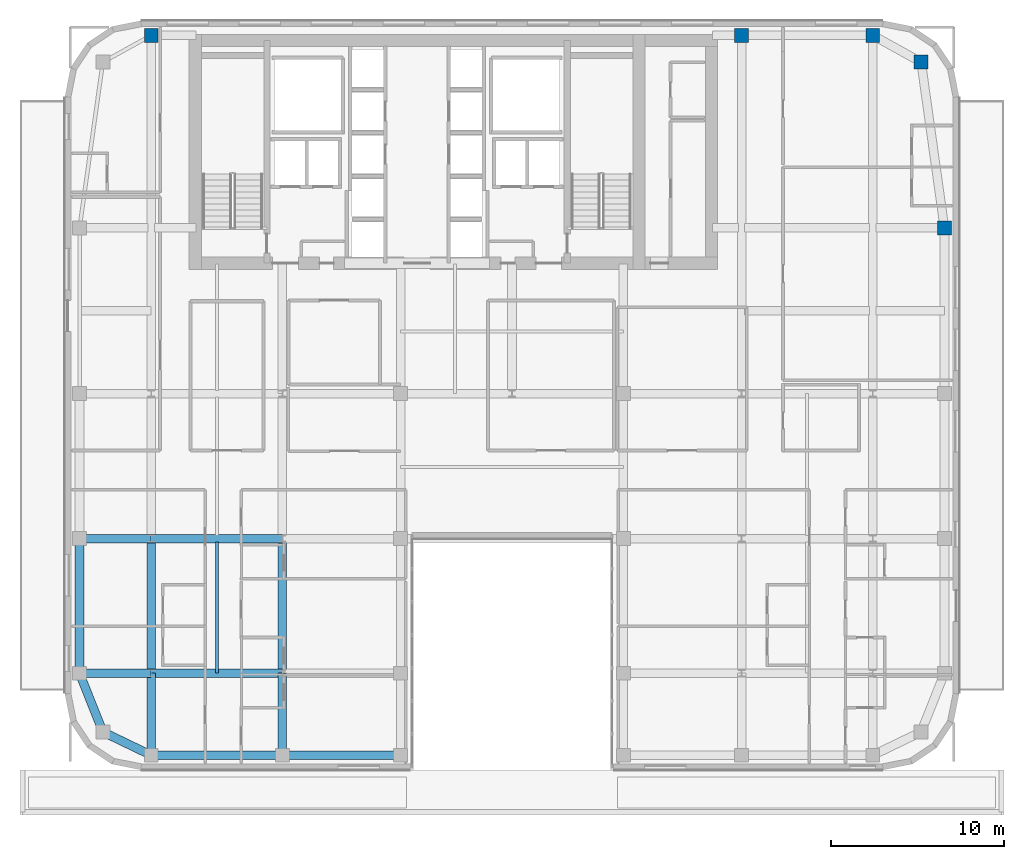
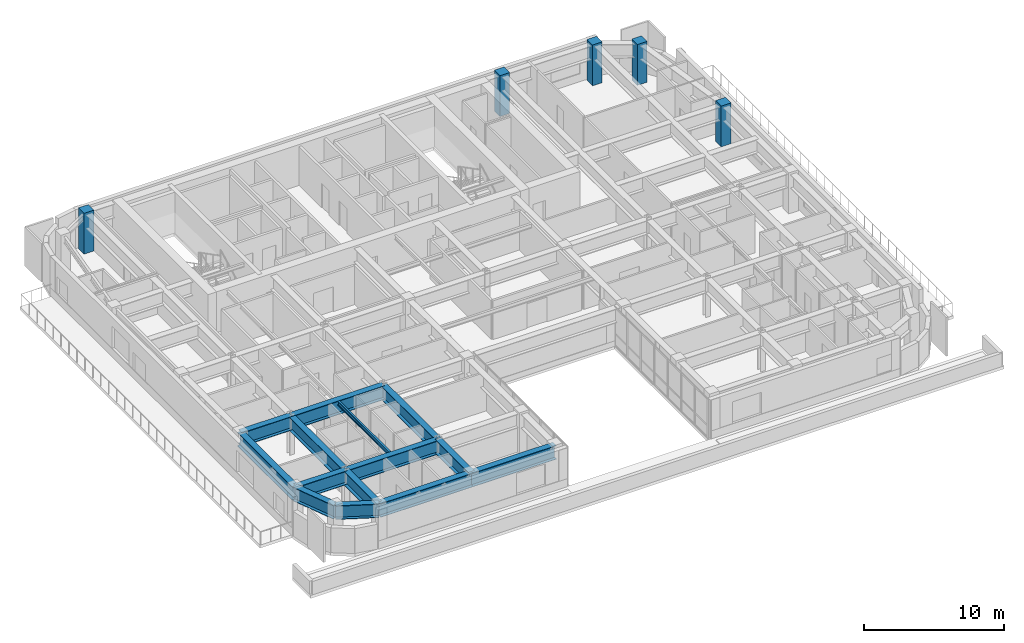
# One storey, part 2 of 20: 14 beams, 5 columns.
"""IFC4 building model written with IfcOpenShell, lengths in metres."""

from ifc_helpers import new_model, si_unit, direction, frame, origin, origin_2d, place, context, subcontext, project, spatial, rectangle, i_section, extrude, source, transform, mapped, material, material_profile, profile_set, type_object, type_shapes, element, save


model = new_model("IFC4")

# Units and contexts
model_context = context("Model", 3, precision=1e-05, world=origin(), true_north=direction((0.0, 1.0)))
body_context = subcontext(model_context, "Body", "Model", "MODEL_VIEW")
ifc_project = project(units=[si_unit("LENGTHUNIT", "METRE"), si_unit("AREAUNIT", "SQUARE_METRE"), si_unit("VOLUMEUNIT", "CUBIC_METRE"), si_unit("PLANEANGLEUNIT", "RADIAN"), si_unit("MASSUNIT", "GRAM", prefix="KILO")], contexts=[model_context])

# Site, building, storey
site_placement = place(None, origin())
site = spatial("IfcSite", under=ifc_project, at=site_placement, CompositionType="ELEMENT")
building_placement = place(site_placement, origin())
building = spatial("IfcBuilding", under=site, at=building_placement, Name="Tolvann Quenvar Hotel", CompositionType="ELEMENT")
storey_placement = place(building_placement, frame((0.0, 0.0, 147.050048828125)))
storey = spatial("IfcBuildingStorey", under=building, at=storey_placement, Name="L38", CompositionType="ELEMENT", Elevation=147.050048828125)

# Columns
ifc_material_1 = material(Name="Concrete N50 (50 MPa)", Category="concrete")
ifc_material_profile_1 = material_profile(ifc_material_1, rectangle(XDim=0.800048828125, YDim=0.800048828125, at=origin_2d()), Name="RC800x800")
ifc_profile_set_1 = profile_set([ifc_material_profile_1], Name="Concrete N50 (50 MPa)")
column_type = type_object("IfcColumnType", Name="COL_RC800", PredefinedType="COLUMN", material=ifc_profile_set_1)
shared_shape_1 = source(origin(), body_context, "Body", "SweptSolid", [
    extrude(rectangle(XDim=0.800048828125, YDim=0.800048828125, at=origin_2d()), origin(), (0.0, 0.0, 1.0), 3.550048828125),
])
type_shapes(column_type, [shared_shape_1])
for number, where, z_axis, x_axis, name in (
    (1, (7.60009765625, 45.14990234375, 0.0), (0.0, 0.0, 1.0), (1.0, 0.0, 0.0), "Column CN (L38)"),
    (2, (41.800048828125, 45.14990234375, 0.0), (0.0, 0.0, 1.0), (1.0, 0.0, 0.0), "Column HN (L38)"),
    (3, (49.39990234375, 45.14990234375, 0.0), (0.0, 0.0, 1.0), (1.0, 0.0, 0.0), "Column IN (L38)"),
    (4, (52.199951171875, 43.60009765625, 0.0), (0.0, 0.0, 1.0), (1.0, 0.0, 0.0), "Column JN (L38)"),
    (5, (53.550048828125, 34.0, 0.0), (0.0, 0.0, 1.0), (1.0, 0.0, 0.0), "Column JD6 (L38)"),
):
    element("IfcColumn", number, at=place(storey_placement, frame(where, z_axis=z_axis, x_axis=x_axis)), inside=storey, type_object=column_type, Name=name, PredefinedType="COLUMN", context=body_context, shape_type="MappedRepresentation", body=[
        mapped(shared_shape_1, transform((0.0, 0.0, 0.0), x_axis=(1.0, 0.0, 0.0), y_axis=(0.0, 1.0, 0.0), z_axis=(0.0, 0.0, 1.0), scale=1.0)),
    ])

# Beams
ifc_material_2 = material(Name="Steel Grade 350", Category="steel")
ifc_material_profile_2 = material_profile(ifc_material_2, i_section(OverallWidth=0.5, OverallDepth=1.199951171875, WebThickness=0.01611328125, FlangeThickness=0.0400390625, at=origin_2d()), Name="1200WB455")
ifc_profile_set_2 = profile_set([ifc_material_profile_2], Name="Steel Grade 350")
beam_type_1 = type_object("IfcBeamType", Name="BM_TG_1200WB455", PredefinedType="USERDEFINED", material=ifc_profile_set_2)
shared_shape_2 = source(origin(), body_context, "Body", "SweptSolid", [
    extrude(i_section(OverallWidth=0.5, OverallDepth=1.199951171875, WebThickness=0.01611328125, FlangeThickness=0.0400390625, at=origin_2d()), origin(), (0.0, 0.0, 1.0), 7.599853515625),
])
for number, where, z_axis, x_axis, name in (
    (6, (7.60009765625, 3.449951171875, 2.77001953125), (1.0, 0.0, 0.0), (0.0, 1.0, 0.0), "BM-L38-EW-2-C2-D2"),
    (7, (7.60009765625, 8.199951171875, 2.77001953125), (1.0, 0.0, 0.0), (0.0, 1.0, 0.0), "BM-L38-EW-3-C3-D3"),
    (8, (7.60009765625, 16.0, 2.77001953125), (1.0, 0.0, 0.0), (0.0, 1.0, 0.0), "BM-L38-EW-4-C4-D4"),
):
    element("IfcBeam", number, at=place(storey_placement, frame(where, z_axis=z_axis, x_axis=x_axis)), inside=storey, type_object=beam_type_1, Name=name, ObjectType="TRANSFER GIRDER", PredefinedType="USERDEFINED", context=body_context, shape_type="MappedRepresentation", body=[
        mapped(shared_shape_2, transform((0.0, 0.0, 0.0), x_axis=(1.0, 0.0, 0.0), y_axis=(0.0, 1.0, 0.0), z_axis=(0.0, 0.0, 1.0), scale=1.0)),
    ])
shared_shape_3 = source(origin(), body_context, "Body", "SweptSolid", [
    extrude(i_section(OverallWidth=0.5, OverallDepth=1.199951171875, WebThickness=0.01611328125, FlangeThickness=0.0400390625, at=origin_2d()), origin(), (0.0, 0.0, 1.0), 4.150146484375),
])
for number, where, z_axis, x_axis, name in (
    (9, (3.449951171875, 8.199951171875, 2.77001953125), (1.0, 0.0, 0.0), (0.0, 1.0, 0.0), "BM-L38-EW-3-B3-C3"),
    (10, (3.449951171875, 16.0, 2.77001953125), (1.0, 0.0, 0.0), (0.0, 1.0, 0.0), "BM-L38-EW-4-B4-C4"),
):
    element("IfcBeam", number, at=place(storey_placement, frame(where, z_axis=z_axis, x_axis=x_axis)), inside=storey, type_object=beam_type_1, Name=name, ObjectType="TRANSFER GIRDER", PredefinedType="USERDEFINED", context=body_context, shape_type="MappedRepresentation", body=[
        mapped(shared_shape_3, transform((0.0, 0.0, 0.0), x_axis=(1.0, 0.0, 0.0), y_axis=(0.0, 1.0, 0.0), z_axis=(0.0, 0.0, 1.0), scale=1.0)),
    ])
shared_shape_4 = source(origin(), body_context, "Body", "SweptSolid", [
    extrude(i_section(OverallWidth=0.5, OverallDepth=1.199951171875, WebThickness=0.01611328125, FlangeThickness=0.0400390625, at=origin_2d()), origin(), (0.0, 0.0, 1.0), 7.800048828125),
])
for number, where, z_axis, x_axis, name in (
    (11, (3.449951171875, 8.199951171875, 2.77001953125), (0.0, 1.0, 0.0), (-1.0, 0.0, 0.0), "BM-L38-NS-B3-B4"),
    (12, (7.60009765625, 8.199951171875, 2.77001953125), (0.0, 1.0, 0.0), (-1.0, 0.0, 0.0), "BM-L38-NS-C3-C4"),
    (13, (15.199951171875, 8.199951171875, 2.77001953125), (0.0, 1.0, 0.0), (-1.0, 0.0, 0.0), "BM-L38-NS-D3-D4"),
):
    element("IfcBeam", number, at=place(storey_placement, frame(where, z_axis=z_axis, x_axis=x_axis)), inside=storey, type_object=beam_type_1, Name=name, ObjectType="TRANSFER GIRDER", PredefinedType="USERDEFINED", context=body_context, shape_type="MappedRepresentation", body=[
        mapped(shared_shape_4, transform((0.0, 0.0, 0.0), x_axis=(1.0, 0.0, 0.0), y_axis=(0.0, 1.0, 0.0), z_axis=(0.0, 0.0, 1.0), scale=1.0)),
    ])
shared_shape_5 = source(origin(), body_context, "Body", "SweptSolid", [
    extrude(i_section(OverallWidth=0.5, OverallDepth=1.199951171875, WebThickness=0.01611328125, FlangeThickness=0.0400390625, at=origin_2d()), origin(), (0.0, 0.0, 1.0), 6.85009765625),
])
beam_1_placement = place(storey_placement, frame((15.199951171875, 3.449951171875, 2.77001953125), z_axis=(1.0, 0.0, 0.0), x_axis=(0.0, 1.0, 0.0)))
element("IfcBeam", 14, at=beam_1_placement, inside=storey, type_object=beam_type_1, Name="BM-L38-EW-2-D2-E2", ObjectType="TRANSFER GIRDER", PredefinedType="USERDEFINED", context=body_context, shape_type="MappedRepresentation", body=[
    mapped(shared_shape_5, transform((0.0, 0.0, 0.0), x_axis=(1.0, 0.0, 0.0), y_axis=(0.0, 1.0, 0.0), z_axis=(0.0, 0.0, 1.0), scale=1.0)),
])
shared_shape_6 = source(origin(), body_context, "Body", "SweptSolid", [
    extrude(i_section(OverallWidth=0.5, OverallDepth=1.199951171875, WebThickness=0.01611328125, FlangeThickness=0.0400390625, at=origin_2d()), origin(), (0.0, 0.0, 1.0), 3.108642578125),
])
beam_2_placement = place(storey_placement, frame((4.800048828125, 4.800048828125, 2.77001953125), z_axis=(0.900759354066, -0.434318530646, 0.0), x_axis=(0.434318530646, 0.900759354066, 0.0)))
element("IfcBeam", 15, at=beam_2_placement, inside=storey, type_object=beam_type_1, Name="BM-L38-EW-2-B2-C2", ObjectType="TRANSFER GIRDER", PredefinedType="USERDEFINED", context=body_context, shape_type="MappedRepresentation", body=[
    mapped(shared_shape_6, transform((0.0, 0.0, 0.0), x_axis=(1.0, 0.0, 0.0), y_axis=(0.0, 1.0, 0.0), z_axis=(0.0, 0.0, 1.0), scale=1.0)),
])
shared_shape_7 = source(origin(), body_context, "Body", "SweptSolid", [
    extrude(i_section(OverallWidth=0.5, OverallDepth=1.199951171875, WebThickness=0.01611328125, FlangeThickness=0.0400390625, at=origin_2d()), origin(), (0.0, 0.0, 1.0), 3.658203125),
])
beam_3_placement = place(storey_placement, frame((4.800048828125, 4.800048828125, 2.77001953125), z_axis=(-0.369065163807, 0.929403521009, 0.0), x_axis=(-0.929403521009, -0.369065163807, 0.0)))
element("IfcBeam", 16, at=beam_3_placement, inside=storey, type_object=beam_type_1, Name="BM-L38-NS-B2-B3", ObjectType="TRANSFER GIRDER", PredefinedType="USERDEFINED", context=body_context, shape_type="MappedRepresentation", body=[
    mapped(shared_shape_7, transform((0.0, 0.0, 0.0), x_axis=(1.0, 0.0, 0.0), y_axis=(0.0, 1.0, 0.0), z_axis=(0.0, 0.0, 1.0), scale=1.0)),
])
shared_shape_8 = source(origin(), body_context, "Body", "SweptSolid", [
    extrude(i_section(OverallWidth=0.5, OverallDepth=1.199951171875, WebThickness=0.01611328125, FlangeThickness=0.0400390625, at=origin_2d()), origin(), (0.0, 0.0, 1.0), 4.75),
])
type_shapes(beam_type_1, [shared_shape_2, shared_shape_3, shared_shape_4, shared_shape_5, shared_shape_6, shared_shape_7, shared_shape_8])
for number, where, z_axis, x_axis, name in (
    (17, (7.60009765625, 3.449951171875, 2.77001953125), (0.0, 1.0, 0.0), (-1.0, 0.0, 0.0), "BM-L38-NS-C2-C3"),
    (18, (15.199951171875, 3.449951171875, 2.77001953125), (0.0, 1.0, 0.0), (-1.0, 0.0, 0.0), "BM-L38-NS-D2-D3"),
):
    element("IfcBeam", number, at=place(storey_placement, frame(where, z_axis=z_axis, x_axis=x_axis)), inside=storey, type_object=beam_type_1, Name=name, ObjectType="TRANSFER GIRDER", PredefinedType="USERDEFINED", context=body_context, shape_type="MappedRepresentation", body=[
        mapped(shared_shape_8, transform((0.0, 0.0, 0.0), x_axis=(1.0, 0.0, 0.0), y_axis=(0.0, 1.0, 0.0), z_axis=(0.0, 0.0, 1.0), scale=1.0)),
    ])
ifc_material_profile_3 = material_profile(ifc_material_2, i_section(OverallWidth=0.172119140625, OverallDepth=0.35888671875, WebThickness=0.008056640625, FlangeThickness=0.012939453125, FilletRadius=0.011474609375, at=origin_2d()), Name="360UB57")
ifc_profile_set_3 = profile_set([ifc_material_profile_3], Name="Steel Grade 350")
beam_type_2 = type_object("IfcBeamType", Name="BM_JOIST_360UB57", PredefinedType="JOIST", material=ifc_profile_set_3)
shared_shape_9 = source(origin(), body_context, "Body", "SweptSolid", [
    extrude(i_section(OverallWidth=0.172119140625, OverallDepth=0.35888671875, WebThickness=0.008056640625, FlangeThickness=0.012939453125, FilletRadius=0.011474609375, at=origin_2d()), origin(), (0.0, 0.0, 1.0), 7.614990234375),
])
type_shapes(beam_type_2, [shared_shape_9])
beam_4_placement = place(storey_placement, frame((11.39990234375, 8.199951171875, 3.1904296875), z_axis=(0.0, 1.0, 0.0), x_axis=(-1.0, 0.0, 0.0)))
element("IfcBeam", 19, at=beam_4_placement, inside=storey, type_object=beam_type_2, Name="BJ-L38-114-82", PredefinedType="JOIST", context=body_context, shape_type="MappedRepresentation", body=[
    mapped(shared_shape_9, transform((0.0, 0.0, 0.0), x_axis=(1.0, 0.0, 0.0), y_axis=(0.0, 1.0, 0.0), z_axis=(0.0, 0.0, 1.0), scale=1.0)),
])

save(model, "model.ifc")
